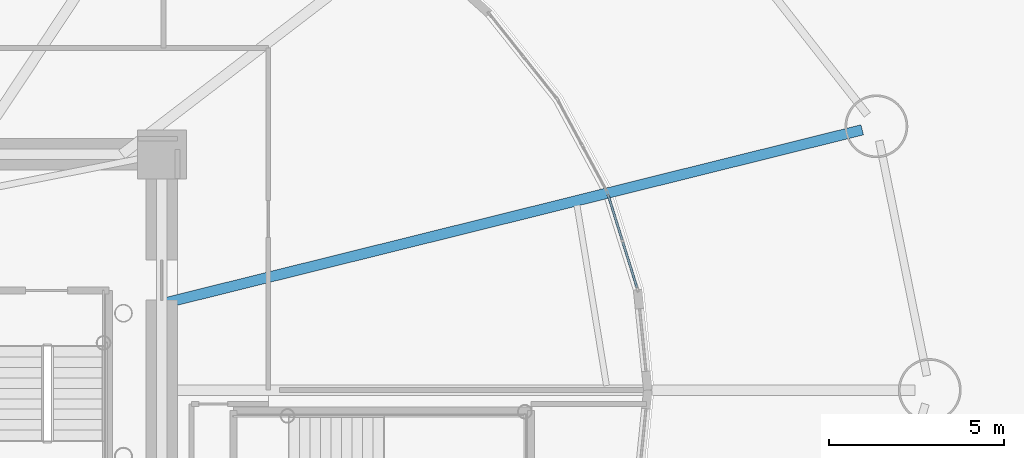
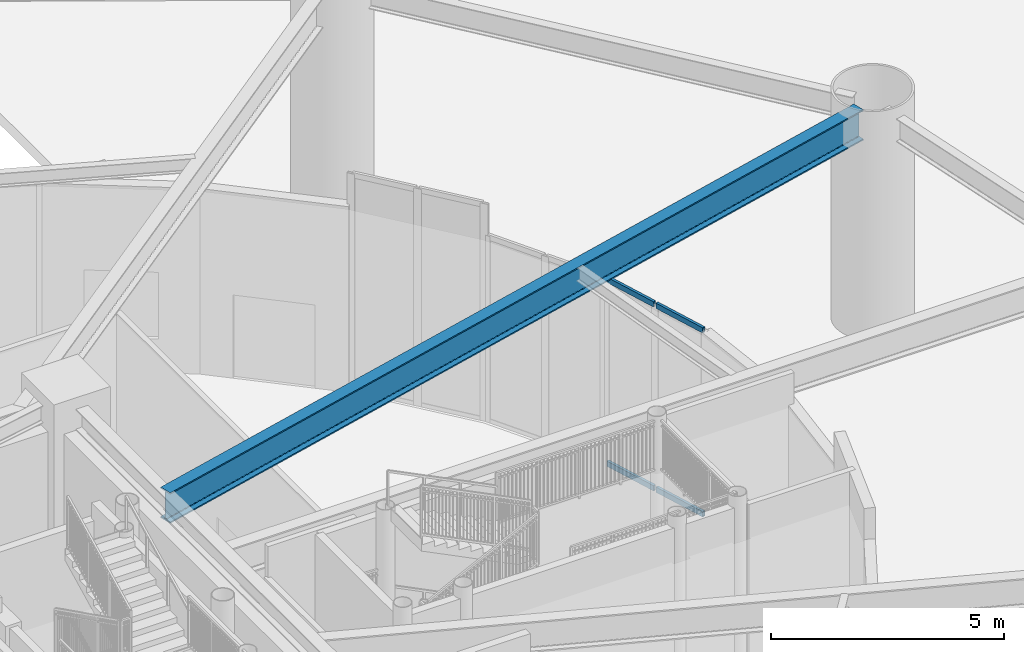
# One storey, part 17 of 46: 4 members, 1 beam, 1 element without a shape of its own.
"""IFC4 building model written with IfcOpenShell, lengths in metres."""

from ifc_helpers import new_model, si_unit, direction, frame, origin, origin_2d, place, context, subcontext, project, spatial, hollow_rectangle, i_section, extrude, source, transform, mapped, material, layer, layer_set, material_profile, profile_set, type_object, element, aggregate, save


model = new_model("IFC4")

# Units and contexts
model_context = context("Model", 3, precision=1e-05, world=origin(), true_north=direction((0.0, 1.0)))
body_context = subcontext(model_context, "Body", "Model", "MODEL_VIEW")
ifc_project = project(units=[si_unit("LENGTHUNIT", "METRE"), si_unit("AREAUNIT", "SQUARE_METRE"), si_unit("VOLUMEUNIT", "CUBIC_METRE"), si_unit("PLANEANGLEUNIT", "RADIAN"), si_unit("MASSUNIT", "GRAM", prefix="KILO")], contexts=[model_context])

# Site, building, storey
site_placement = place(None, origin())
site = spatial("IfcSite", under=ifc_project, at=site_placement, CompositionType="ELEMENT")
building_placement = place(site_placement, origin())
building = spatial("IfcBuilding", under=site, at=building_placement, Name="Linh Dai School and Residence Tower", CompositionType="ELEMENT")
storey_placement = place(building_placement, origin())
storey = spatial("IfcBuildingStorey", under=building, at=storey_placement, Name="L00", CompositionType="ELEMENT", Elevation=0.0)

# Beam
ifc_material_1 = material(Name="Structural Steel S355JR", Category="steel")
ifc_material_profile_1 = material_profile(ifc_material_1, i_section(OverallWidth=0.300048828125, OverallDepth=0.800048828125, WebThickness=0.017578125, FlangeThickness=0.032958984375, FilletRadius=0.030029296875, at=origin_2d()), Name="HEB 800")
ifc_profile_set_1 = profile_set([ifc_material_profile_1], Name="Structural Steel S355JR")
beam_type = type_object("IfcBeamType", Name="BM-RG8", PredefinedType="BEAM", material=ifc_profile_set_1)
beam_placement = place(storey_placement, frame((45.949951171875, 29.47119140625, 5.300048828125), z_axis=(0.970515097282, 0.241040340913, 0.0), x_axis=(-0.241040340913, 0.970515097282, 0.0)))
element("IfcBeam", 1, at=beam_placement, inside=storey, type_object=beam_type, Name="L00 Primary Radial Floor Girder 02", PredefinedType="BEAM", context=body_context, shape_type="SweptSolid", body=[
    extrude(i_section(OverallWidth=0.300048828125, OverallDepth=0.800048828125, WebThickness=0.017578125, FlangeThickness=0.032958984375, FilletRadius=0.030029296875, at=origin_2d()), origin(), (0.0, 0.0, 1.0), 20.672607421875),
])

# Curtain wall, members
ifc_material_2 = material(Name="Aluminium Anodised Curtain Wall", Category="aluminium")
ifc_layer = layer(ifc_material_2, 0.179931640625)
ifc_layer_set = layer_set([ifc_layer], Name="Aluminium Anodised Curtain Wall")
curtain_wall_type = type_object("IfcCurtainWallType", Name="CW-SYS-1", PredefinedType="USERDEFINED", material=ifc_layer_set)
curtain_wall_placement = place(storey_placement, origin())
curtain_wall = element("IfcCurtainWall", 2, at=curtain_wall_placement, inside=storey, type_object=curtain_wall_type, Name="L00 CW1 Curtain Wall 02", ObjectType="UNITISED CURTAIN WALL", PredefinedType="USERDEFINED")
ifc_material_3 = material(Name="Aluminium Alloy 6063-T6", Category="aluminium")
ifc_material_profile_2 = material_profile(ifc_material_3, hollow_rectangle(XDim=0.06494140625, YDim=0.139892578125, WallThickness=0.00390625, at=origin_2d()), Name="RHS 140x65x4")
ifc_profile_set_2 = profile_set([ifc_material_profile_2], Name="Aluminium Alloy 6063-T6")
member_type = type_object("IfcMemberType", Name="CW-SYS-1-TRN", PredefinedType="USERDEFINED", material=ifc_profile_set_2)
shared_shape = source(origin(), body_context, "Body", "SweptSolid", [
    extrude(hollow_rectangle(XDim=0.06494140625, YDim=0.139892578125, WallThickness=0.00390625, at=origin_2d()), origin(), (0.0, 0.0, 1.0), 1.36865234375),
])
member_1_placement = place(storey_placement, frame((58.7294921875, 32.606201171875, 0.032470703125), z_axis=(0.297380993201, -0.954758893587, 0.0), x_axis=(0.954758893587, 0.297380993201, 0.0)))
member_1 = element("IfcMember", 3, at=member_1_placement, type_object=member_type, Name="CW1 transom 1.1", ObjectType="TRANSOM", PredefinedType="USERDEFINED", context=body_context, shape_type="MappedRepresentation", body=[
    mapped(shared_shape, transform((0.0, 0.0, 0.0), x_axis=(1.0, 0.0, 0.0), y_axis=(0.0, 1.0, 0.0), z_axis=(0.0, 0.0, 1.0), scale=1.0)),
])
member_2_placement = place(storey_placement, frame((58.7294921875, 32.606201171875, 4.8525390625), z_axis=(0.297380993201, -0.954758893587, 0.0), x_axis=(0.954758893587, 0.297380993201, 0.0)))
member_2 = element("IfcMember", 4, at=member_2_placement, type_object=member_type, Name="CW1 transom 1.2", ObjectType="TRANSOM", PredefinedType="USERDEFINED", context=body_context, shape_type="MappedRepresentation", body=[
    mapped(shared_shape, transform((0.0, 0.0, 0.0), x_axis=(1.0, 0.0, 0.0), y_axis=(0.0, 1.0, 0.0), z_axis=(0.0, 0.0, 1.0), scale=1.0)),
])
member_3_placement = place(storey_placement, frame((59.15576171875, 31.237548828125, 0.032470703125), z_axis=(0.297380993201, -0.954758893587, 0.0), x_axis=(0.954758893587, 0.297380993201, 0.0)))
member_3 = element("IfcMember", 5, at=member_3_placement, type_object=member_type, Name="CW1 transom 2.1", ObjectType="TRANSOM", PredefinedType="USERDEFINED", context=body_context, shape_type="MappedRepresentation", body=[
    mapped(shared_shape, transform((0.0, 0.0, 0.0), x_axis=(1.0, 0.0, 0.0), y_axis=(0.0, 1.0, 0.0), z_axis=(0.0, 0.0, 1.0), scale=1.0)),
])
member_4_placement = place(storey_placement, frame((59.15576171875, 31.237548828125, 4.8525390625), z_axis=(0.297380993201, -0.954758893587, 0.0), x_axis=(0.954758893587, 0.297380993201, 0.0)))
member_4 = element("IfcMember", 6, at=member_4_placement, type_object=member_type, Name="CW1 transom 2.2", ObjectType="TRANSOM", PredefinedType="USERDEFINED", context=body_context, shape_type="MappedRepresentation", body=[
    mapped(shared_shape, transform((0.0, 0.0, 0.0), x_axis=(1.0, 0.0, 0.0), y_axis=(0.0, 1.0, 0.0), z_axis=(0.0, 0.0, 1.0), scale=1.0)),
])
aggregate(curtain_wall, [member_1, member_2, member_3, member_4])

save(model, "model.ifc")
